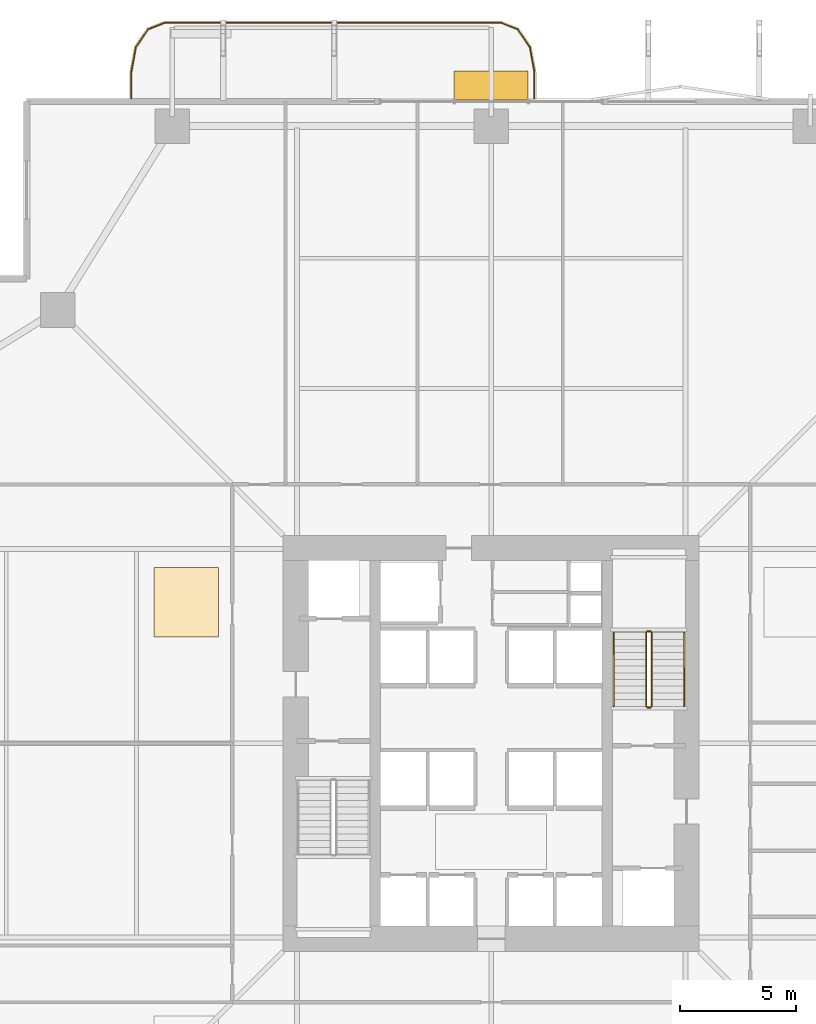
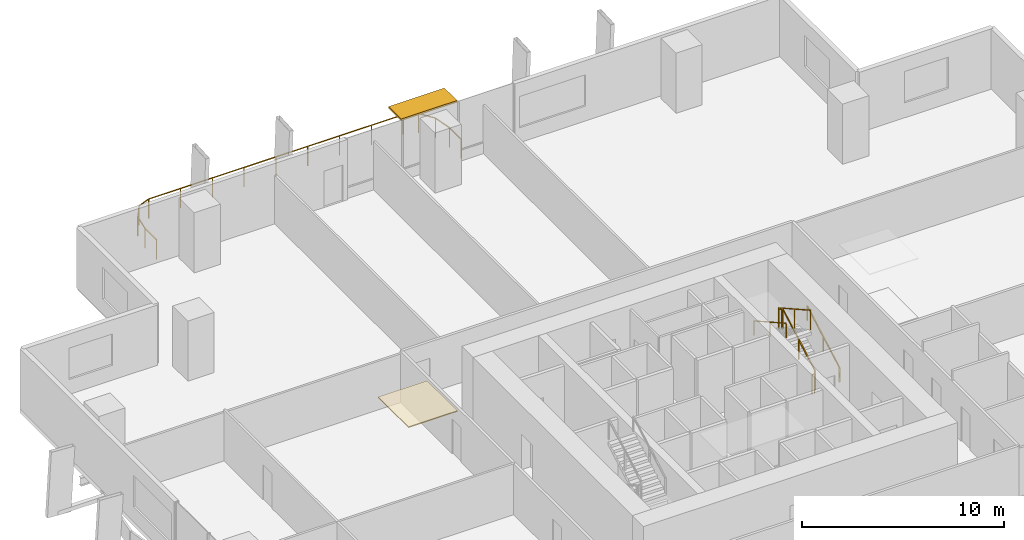
# One storey, part 23 of 24: 7 railings, 1 covering, 1 shading device.
"""IFC4 building model written with IfcOpenShell, lengths in metres."""

from ifc_helpers import new_model, si_unit, direction, frame, origin, origin_2d, place, context, subcontext, project, spatial, polyline, rectangle, outline, extrude, material, layer, layer_set, type_object, element, save


model = new_model("IFC4")

# Units and contexts
model_context = context("Model", 3, precision=1e-05, world=origin(), true_north=direction((0.0, 1.0)))
body_context = subcontext(model_context, "Body", "Model", "MODEL_VIEW")
ifc_project = project(units=[si_unit("LENGTHUNIT", "METRE"), si_unit("AREAUNIT", "SQUARE_METRE"), si_unit("VOLUMEUNIT", "CUBIC_METRE"), si_unit("PLANEANGLEUNIT", "RADIAN"), si_unit("MASSUNIT", "GRAM", prefix="KILO")], contexts=[model_context])

# Site, building, storey
site_placement = place(None, origin())
site = spatial("IfcSite", under=ifc_project, at=site_placement, CompositionType="ELEMENT")
building_placement = place(site_placement, origin())
building = spatial("IfcBuilding", under=site, at=building_placement, Name="Belovzor Exchange Tower", CompositionType="ELEMENT")
storey_placement = place(building_placement, frame((0.0, 0.0, 45.60009765625)))
storey = spatial("IfcBuildingStorey", under=building, at=storey_placement, Name="L10", CompositionType="ELEMENT", Elevation=45.60009765625)

# Railings
ifc_material_1 = material(Name="Stainless Steel Grade 304", Category="steel")
railing_type_1 = type_object("IfcRailingType", Name="Brushed Stainless Steel Stair Handrail 900", PredefinedType="HANDRAIL", material=ifc_material_1)
railing_1_placement = place(storey_placement, frame((37.14990234375, 30.39990234375, 0.162353515625)))
element("IfcRailing", 1, at=railing_1_placement, inside=storey, type_object=railing_type_1, Name="L10 ST-2 stair handrail 1", PredefinedType="HANDRAIL", context=body_context, shape_type="SweptSolid", body=[
    extrude(rectangle(XDim=0.048095703125, YDim=0.048095703125, at=origin_2d()), frame((0.0, 0.0, 0.8759765625), z_axis=(0.0, 0.87237847985, 0.488831042279), x_axis=(-1.0, 0.0, 0.0)), (0.0, 0.0, 1.0), 3.656982421875),
    extrude(rectangle(XDim=0.0419921875, YDim=0.0419921875, at=origin_2d()), origin(), (0.0, 0.0, 1.0), 0.851806640625),
    extrude(rectangle(XDim=0.0419921875, YDim=0.0419921875, at=origin_2d()), frame((0.0, 1.59521484375, 0.893798828125)), (0.0, 0.0, 1.0), 0.851806640625),
    extrude(rectangle(XDim=0.0419921875, YDim=0.0419921875, at=origin_2d()), frame((0.0, 3.190185546875, 1.78759765625)), (0.0, 0.0, 1.0), 0.851806640625),
])
railing_2_placement = place(storey_placement, frame((34.10009765625, 33.590087890625, 2.1123046875)))
element("IfcRailing", 2, at=railing_2_placement, inside=storey, type_object=railing_type_1, Name="L10 ST-2 stair handrail 2", PredefinedType="HANDRAIL", context=body_context, shape_type="SweptSolid", body=[
    extrude(rectangle(XDim=0.048095703125, YDim=0.048095703125, at=origin_2d()), frame((0.0, 0.0, 0.8759765625), z_axis=(0.0, -0.87237847985, 0.488831042279), x_axis=(1.0, 0.0, 0.0)), (0.0, 0.0, 1.0), 3.656982421875),
    extrude(rectangle(XDim=0.0419921875, YDim=0.0419921875, at=origin_2d()), origin(), (0.0, 0.0, 1.0), 0.851806640625),
    extrude(rectangle(XDim=0.0419921875, YDim=0.0419921875, at=origin_2d()), frame((0.0, -1.59521484375, 0.893798828125)), (0.0, 0.0, 1.0), 0.851806640625),
    extrude(rectangle(XDim=0.0419921875, YDim=0.0419921875, at=origin_2d()), frame((0.0, -3.190185546875, 1.78759765625)), (0.0, 0.0, 1.0), 0.851806640625),
])
ifc_material_2 = material(Name="Stainless Steel and Laminated Safety Glass", Category="steel")
railing_type_2 = type_object("IfcRailingType", Name="Laminated Glass & Stainless Steel Balcony Balustrade 1200", PredefinedType="BALUSTRADE", material=ifc_material_2)
railing_3_placement = place(storey_placement, frame((30.669921875, 56.7099609375, 0.0)))
element("IfcRailing", 3, at=railing_3_placement, inside=storey, type_object=railing_type_2, Name="GR-1 Balcony Balustrade L10 North", PredefinedType="BALUSTRADE", context=body_context, shape_type="SweptSolid", body=[
    extrude(rectangle(XDim=0.048095703125, YDim=0.048095703125, at=origin_2d()), frame((0.0, 0.0, 1.17578125), z_axis=(0.0, 1.0, 0.0), x_axis=(-1.0, 0.0, 0.0)), (0.0, 0.0, 1.0), 1.133056640625),
    extrude(rectangle(XDim=0.048095703125, YDim=0.048095703125, at=origin_2d()), frame((0.0, 1.133056640625, 1.17578125), z_axis=(-0.180122719713, 0.983644145941, 0.0), x_axis=(-0.983644145941, -0.180122719713, 0.0)), (0.0, 0.0, 1.0), 1.09375),
    extrude(rectangle(XDim=0.048095703125, YDim=0.048095703125, at=origin_2d()), frame((-0.197021484375, 2.208984375, 1.17578125), z_axis=(-0.562768145367, 0.826614792125, 0.0), x_axis=(-0.826614792125, -0.562768145367, 0.0)), (0.0, 0.0, 1.0), 0.9326171875),
    extrude(rectangle(XDim=0.048095703125, YDim=0.048095703125, at=origin_2d()), frame((-0.721923828125, 2.97998046875, 1.17578125), z_axis=(-0.930766990125, 0.365612923861, 0.0), x_axis=(-0.365612923861, -0.930766990125, 0.0)), (0.0, 0.0, 1.0), 0.765869140625),
    extrude(rectangle(XDim=0.048095703125, YDim=0.048095703125, at=origin_2d()), frame((-1.434814453125, 3.260009765625, 1.17578125), z_axis=(-1.0, 0.0, 0.0), x_axis=(0.0, -1.0, 0.0)), (0.0, 0.0, 1.0), 14.570068359375),
    extrude(rectangle(XDim=0.048095703125, YDim=0.048095703125, at=origin_2d()), frame((-16.0048828125, 3.260009765625, 1.17578125), z_axis=(-0.930809580156, -0.365504480807, 0.0), x_axis=(0.365504480807, -0.930809580156, 0.0)), (0.0, 0.0, 1.0), 0.76611328125),
    extrude(rectangle(XDim=0.048095703125, YDim=0.048095703125, at=origin_2d()), frame((-16.718017578125, 2.97998046875, 1.17578125), z_axis=(-0.562768145367, -0.826614792125, 0.0), x_axis=(0.826614792125, -0.562768145367, 0.0)), (0.0, 0.0, 1.0), 0.9326171875),
    extrude(rectangle(XDim=0.048095703125, YDim=0.048095703125, at=origin_2d()), frame((-17.242919921875, 2.208984375, 1.17578125), z_axis=(-0.180122719713, -0.983644145941, 0.0), x_axis=(0.983644145941, -0.180122719713, 0.0)), (0.0, 0.0, 1.0), 1.09375),
    extrude(rectangle(XDim=0.048095703125, YDim=0.048095703125, at=origin_2d()), frame((-17.43994140625, 1.133056640625, 1.17578125), z_axis=(0.0, -1.0, 0.0), x_axis=(1.0, 0.0, 0.0)), (0.0, 0.0, 1.0), 1.133056640625),
    extrude(rectangle(XDim=0.0419921875, YDim=0.0419921875, at=origin_2d()), origin(), (0.0, 0.0, 1.0), 1.15185546875),
    extrude(rectangle(XDim=0.0419921875, YDim=0.0419921875, at=origin_2d()), frame((0.0, 1.133056640625, 0.0)), (0.0, 0.0, 1.0), 1.15185546875),
    extrude(rectangle(XDim=0.0419921875, YDim=0.0419921875, at=origin_2d()), frame((-0.197021484375, 2.208984375, 0.0)), (0.0, 0.0, 1.0), 1.15185546875),
    extrude(rectangle(XDim=0.0419921875, YDim=0.0419921875, at=origin_2d()), frame((-0.721923828125, 2.97998046875, 0.0)), (0.0, 0.0, 1.0), 1.15185546875),
    extrude(rectangle(XDim=0.0419921875, YDim=0.0419921875, at=origin_2d()), frame((-1.434814453125, 3.260009765625, 0.0)), (0.0, 0.0, 1.0), 1.15185546875),
    extrude(rectangle(XDim=0.0419921875, YDim=0.0419921875, at=origin_2d()), frame((-3.256103515625, 3.260009765625, 0.0)), (0.0, 0.0, 1.0), 1.15185546875),
    extrude(rectangle(XDim=0.0419921875, YDim=0.0419921875, at=origin_2d()), frame((-5.077392578125, 3.260009765625, 0.0)), (0.0, 0.0, 1.0), 1.15185546875),
    extrude(rectangle(XDim=0.0419921875, YDim=0.0419921875, at=origin_2d()), frame((-6.898681640625, 3.260009765625, 0.0)), (0.0, 0.0, 1.0), 1.15185546875),
    extrude(rectangle(XDim=0.0419921875, YDim=0.0419921875, at=origin_2d()), frame((-8.7197265625, 3.260009765625, 0.0)), (0.0, 0.0, 1.0), 1.15185546875),
    extrude(rectangle(XDim=0.0419921875, YDim=0.0419921875, at=origin_2d()), frame((-10.541015625, 3.260009765625, 0.0)), (0.0, 0.0, 1.0), 1.15185546875),
    extrude(rectangle(XDim=0.0419921875, YDim=0.0419921875, at=origin_2d()), frame((-12.3623046875, 3.260009765625, 0.0)), (0.0, 0.0, 1.0), 1.15185546875),
    extrude(rectangle(XDim=0.0419921875, YDim=0.0419921875, at=origin_2d()), frame((-14.18359375, 3.260009765625, 0.0)), (0.0, 0.0, 1.0), 1.15185546875),
    extrude(rectangle(XDim=0.0419921875, YDim=0.0419921875, at=origin_2d()), frame((-16.0048828125, 3.260009765625, 0.0)), (0.0, 0.0, 1.0), 1.15185546875),
    extrude(rectangle(XDim=0.0419921875, YDim=0.0419921875, at=origin_2d()), frame((-16.718017578125, 2.97998046875, 0.0)), (0.0, 0.0, 1.0), 1.15185546875),
    extrude(rectangle(XDim=0.0419921875, YDim=0.0419921875, at=origin_2d()), frame((-17.242919921875, 2.208984375, 0.0)), (0.0, 0.0, 1.0), 1.15185546875),
    extrude(rectangle(XDim=0.0419921875, YDim=0.0419921875, at=origin_2d()), frame((-17.43994140625, 1.133056640625, 0.0)), (0.0, 0.0, 1.0), 1.15185546875),
    extrude(rectangle(XDim=0.0419921875, YDim=0.0419921875, at=origin_2d()), frame((-17.43994140625, 0.0, 0.0)), (0.0, 0.0, 1.0), 1.15185546875),
])
ifc_material_3 = material(Name="Steel S355", Category="steel")
railing_type_3 = type_object("IfcRailingType", Name="Painted Steel Stairwell Guardrail 1200", PredefinedType="GUARDRAIL", material=ifc_material_3)
railing_4_placement = place(storey_placement, frame((35.75, 30.39990234375, 0.162353515625)))
element("IfcRailing", 4, at=railing_4_placement, inside=storey, type_object=railing_type_3, Name="L10 ST-2 stair guard 1", PredefinedType="GUARDRAIL", context=body_context, shape_type="SweptSolid", body=[
    extrude(rectangle(XDim=0.048095703125, YDim=0.048095703125, at=origin_2d()), frame((0.0, 0.0, 1.17578125), z_axis=(0.0, 0.87237847985, 0.488831042279), x_axis=(-1.0, 0.0, 0.0)), (0.0, 0.0, 1.0), 3.656982421875),
    extrude(rectangle(XDim=0.0419921875, YDim=0.0419921875, at=origin_2d()), origin(), (0.0, 0.0, 1.0), 1.15185546875),
    extrude(rectangle(XDim=0.0419921875, YDim=0.0419921875, at=origin_2d()), frame((0.0, 1.59521484375, 0.893798828125)), (0.0, 0.0, 1.0), 1.15185546875),
    extrude(rectangle(XDim=0.0419921875, YDim=0.0419921875, at=origin_2d()), frame((0.0, 3.190185546875, 1.78759765625)), (0.0, 0.0, 1.0), 1.15185546875),
])
railing_5_placement = place(storey_placement, frame((35.699951171875, 33.639892578125, 1.949951171875)))
element("IfcRailing", 5, at=railing_5_placement, inside=storey, type_object=railing_type_3, Name="L10 ST-2 stair guard 2", PredefinedType="GUARDRAIL", context=body_context, shape_type="SweptSolid", body=[
    extrude(rectangle(XDim=0.048095703125, YDim=0.048095703125, at=origin_2d()), frame((0.0, 0.0, 1.17578125), z_axis=(-1.0, 0.0, 0.0), x_axis=(0.0, -1.0, 0.0)), (0.0, 0.0, 1.0), 0.14990234375),
    extrude(rectangle(XDim=0.0419921875, YDim=0.0419921875, at=origin_2d()), origin(), (0.0, 0.0, 1.0), 1.15185546875),
    extrude(rectangle(XDim=0.0419921875, YDim=0.0419921875, at=origin_2d()), frame((-0.14990234375, 0.0, 0.0)), (0.0, 0.0, 1.0), 1.15185546875),
])
railing_6_placement = place(storey_placement, frame((35.5, 33.590087890625, 2.1123046875)))
element("IfcRailing", 6, at=railing_6_placement, inside=storey, type_object=railing_type_3, Name="L10 ST-2 stair guard 3", PredefinedType="GUARDRAIL", context=body_context, shape_type="SweptSolid", body=[
    extrude(rectangle(XDim=0.048095703125, YDim=0.048095703125, at=origin_2d()), frame((0.0, 0.0, 1.17578125), z_axis=(0.0, -0.87237847985, 0.488831042279), x_axis=(1.0, 0.0, 0.0)), (0.0, 0.0, 1.0), 3.656982421875),
    extrude(rectangle(XDim=0.0419921875, YDim=0.0419921875, at=origin_2d()), origin(), (0.0, 0.0, 1.0), 1.15185546875),
    extrude(rectangle(XDim=0.0419921875, YDim=0.0419921875, at=origin_2d()), frame((0.0, -1.59521484375, 0.893798828125)), (0.0, 0.0, 1.0), 1.15185546875),
    extrude(rectangle(XDim=0.0419921875, YDim=0.0419921875, at=origin_2d()), frame((0.0, -3.190185546875, 1.78759765625)), (0.0, 0.0, 1.0), 1.15185546875),
])
railing_7_placement = place(storey_placement, frame((35.699951171875, 30.35009765625, 0.0)))
element("IfcRailing", 7, at=railing_7_placement, inside=storey, type_object=railing_type_3, Name="L10 ST-2 stair guard 4", PredefinedType="GUARDRAIL", context=body_context, shape_type="SweptSolid", body=[
    extrude(rectangle(XDim=0.048095703125, YDim=0.048095703125, at=origin_2d()), frame((0.0, 0.0, 1.17578125), z_axis=(-1.0, 0.0, 0.0), x_axis=(0.0, -1.0, 0.0)), (0.0, 0.0, 1.0), 0.14990234375),
    extrude(rectangle(XDim=0.0419921875, YDim=0.0419921875, at=origin_2d()), origin(), (0.0, 0.0, 1.0), 1.15185546875),
    extrude(rectangle(XDim=0.0419921875, YDim=0.0419921875, at=origin_2d()), frame((-0.14990234375, 0.0, 0.0)), (0.0, 0.0, 1.0), 1.15185546875),
])

# Covering
ifc_material_4 = material(Name="Perforated Powder-Coated Aluminium", Category="aluminium")
ifc_layer_1 = layer(ifc_material_4, 0.06005859375)
ifc_layer_set_1 = layer_set([ifc_layer_1], Name="Perforated Powder-Coated Aluminium")
covering_type = type_object("IfcCoveringType", Name="Perforated Acoustic Metal Tile Suspended Ceiling 60", PredefinedType="CEILING", material=ifc_layer_set_1)
covering_placement = place(storey_placement, frame((0.0, 0.0, 3.58984375)))
element("IfcCovering", 8, at=covering_placement, inside=storey, type_object=covering_type, Name="CLG-AC60 Suspended Ceiling CLG-L10-Z3", PredefinedType="CEILING", context=body_context, shape_type="SweptSolid", body=[
    extrude(outline(polyline([(14.199951171875, 33.39990234375), (17.0, 33.39990234375), (17.0, 36.39990234375), (14.199951171875, 36.39990234375), (14.199951171875, 33.39990234375)])), origin(), (0.0, 0.0, 1.0), 0.06005859375),
])

# Shading device
ifc_material_5 = material(Name="Extruded Architectural Terracotta", Category="masonry")
ifc_layer_2 = layer(ifc_material_5, 0.1201171875)
ifc_layer_set_2 = layer_set([ifc_layer_2], Name="Extruded Architectural Terracotta")
shading_device_type = type_object("IfcShadingDeviceType", Name="Streamline Terracotta Horizontal Sunshade Hood 1250", PredefinedType="AWNING", material=ifc_layer_set_2)
shading_device_placement = place(storey_placement, frame((28.800048828125, 57.264892578125, 3.52978515625), z_axis=(0.0, 0.0, 1.0), x_axis=(1.0, 0.0, 0.0)))
element("IfcShadingDevice", 9, at=shading_device_placement, inside=storey, type_object=shading_device_type, Name="SHD-TC125 Terracotta Sunshade L10 N", PredefinedType="AWNING", context=body_context, shape_type="SweptSolid", body=[
    extrude(rectangle(XDim=3.199951171875, YDim=1.25, at=origin_2d()), origin(), (0.0, 0.0, 1.0), 0.1201171875),
])

save(model, "model.ifc")
